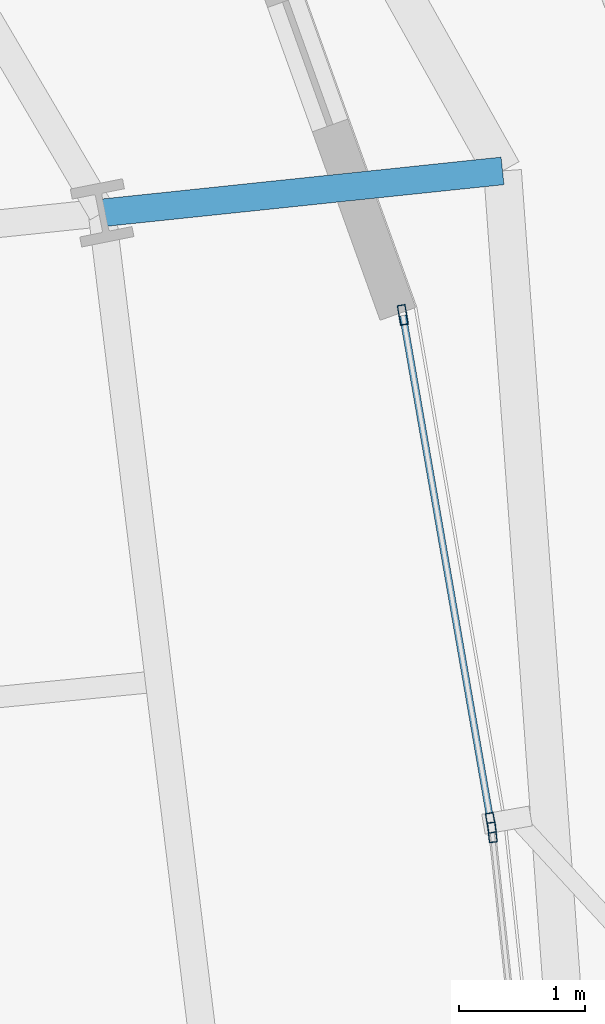
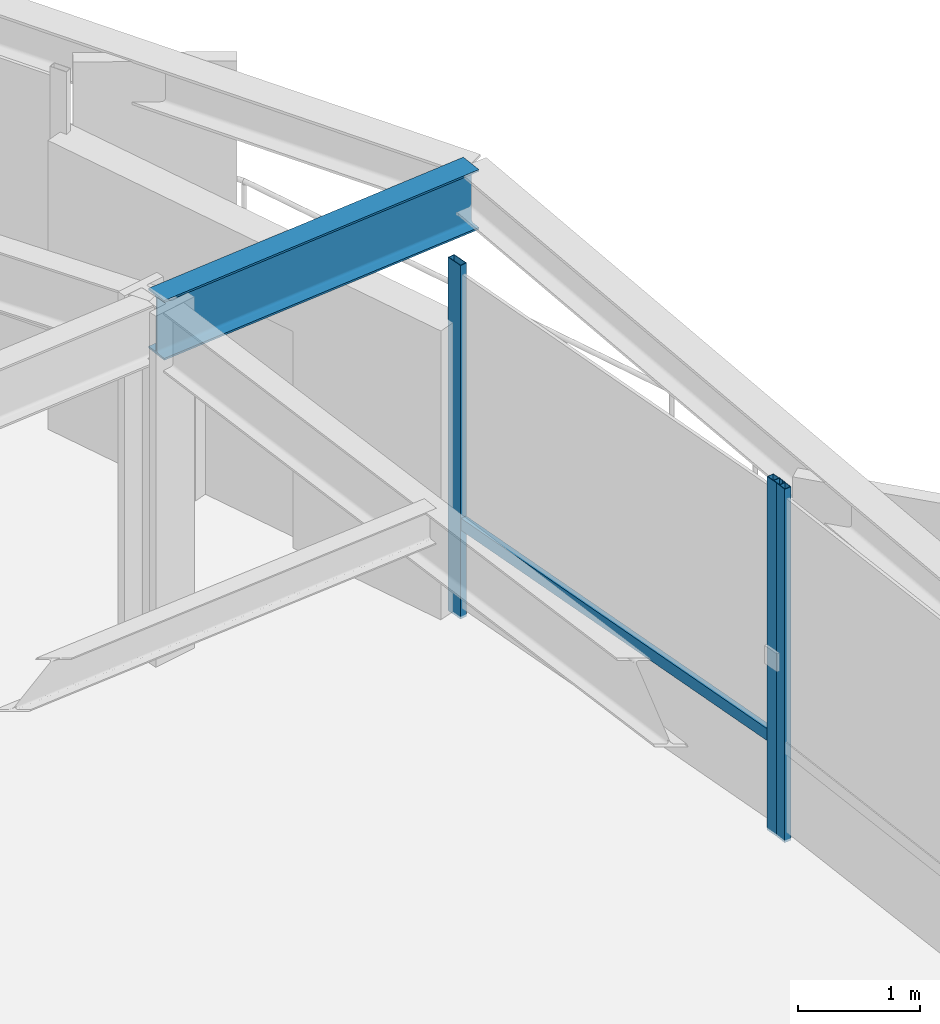
# One storey, part 18 of 39: 4 members, 1 beam, 2 elements without a shape of their own.
"""IFC4 building model written with IfcOpenShell, lengths in metres."""

from ifc_helpers import new_model, si_unit, direction, frame, origin, origin_2d, place, context, subcontext, project, spatial, hollow_rectangle, i_section, extrude, source, transform, mapped, material, layer, layer_set, material_profile, profile_set, type_object, element, aggregate, save


model = new_model("IFC4")

# Units and contexts
model_context = context("Model", 3, precision=1e-05, world=origin(), true_north=direction((0.0, 1.0)))
body_context = subcontext(model_context, "Body", "Model", "MODEL_VIEW")
ifc_project = project(units=[si_unit("LENGTHUNIT", "METRE"), si_unit("AREAUNIT", "SQUARE_METRE"), si_unit("VOLUMEUNIT", "CUBIC_METRE"), si_unit("PLANEANGLEUNIT", "RADIAN"), si_unit("MASSUNIT", "GRAM", prefix="KILO"), si_unit("THERMODYNAMICTEMPERATUREUNIT", "KELVIN")], contexts=[model_context])

# Site, building, storey
site_placement = place(None, origin())
site = spatial("IfcSite", under=ifc_project, at=site_placement, CompositionType="ELEMENT")
building_placement = place(site_placement, origin())
building = spatial("IfcBuilding", under=site, at=building_placement, Name="Kethvar Cultural Tower", CompositionType="ELEMENT")
storey_placement = place(building_placement, frame((0.0, 0.0, 33.39990234375)))
storey = spatial("IfcBuildingStorey", under=building, at=storey_placement, Name="L07", CompositionType="ELEMENT", Elevation=33.39990234375)

# Beam
ifc_material_1 = material(Name="Steel S355J2", Category="steel")
ifc_material_profile_1 = material_profile(ifc_material_1, i_section(OverallWidth=0.219970703125, OverallDepth=0.60009765625, WebThickness=0.011962890625, FlangeThickness=0.01904296875, FilletRadius=0.02392578125, at=origin_2d()), Name="Steel S355J2 — IPE600")
ifc_profile_set_1 = profile_set([ifc_material_profile_1], Name="Steel S355J2 — IPE600")
beam_type = type_object("IfcBeamType", Name="BM-IPE600", PredefinedType="BEAM", material=ifc_profile_set_1)
shared_shape_1 = source(origin(), body_context, "Body", "SweptSolid", [
    extrude(i_section(OverallWidth=0.219970703125, OverallDepth=0.60009765625, WebThickness=0.011962890625, FlangeThickness=0.01904296875, FilletRadius=0.02392578125, at=origin_2d()), origin(), (0.0, 0.0, 1.0), 3.199951171875),
])
beam_placement = place(storey_placement, frame((73.65673828125, 33.14208984375, 3.248046875), z_axis=(0.994554671638, 0.104216146169, 0.0), x_axis=(-0.104216146169, 0.994554671638, 0.0)))
element("IfcBeam", 1, at=beam_placement, inside=storey, type_object=beam_type, Name="L07 Perimeter Cantilever Beam RC-01", PredefinedType="BEAM", context=body_context, shape_type="MappedRepresentation", body=[
    mapped(shared_shape_1, transform((0.0, 0.0, 0.0), scale=1.0)),
])

# Curtain wall, members
ifc_material_2 = material(Name="Aluminium 6063-T6", Category="aluminium")
ifc_layer = layer(ifc_material_2, 0.179931640625, Name="Aluminium 6063-T6", Category="aluminium")
ifc_layer_set = layer_set([ifc_layer], Name="Aluminium 6063-T6 (180 mm)")
curtain_wall_type = type_object("IfcCurtainWallType", Name="CW-SYS-02-Z1", PredefinedType="NOTDEFINED", material=ifc_layer_set)
curtain_wall_1_placement = place(storey_placement, origin())
curtain_wall_1 = element("IfcCurtainWall", 2, at=curtain_wall_1_placement, inside=storey, type_object=curtain_wall_type, Name="L07 Curtain Wall Run 01", PredefinedType="NOTDEFINED")
ifc_material_profile_2 = material_profile(ifc_material_2, hollow_rectangle(XDim=0.06494140625, YDim=0.159912109375, WallThickness=0.0048828125, at=origin_2d()), Name="Aluminium 6063-T6 — RHS160x65x5")
ifc_profile_set_2 = profile_set([ifc_material_profile_2], Name="Aluminium 6063-T6 — RHS160x65x5")
member_type_1 = type_object("IfcMemberType", Name="CW-SYS-02-Z1-MUL", PredefinedType="MULLION", material=ifc_profile_set_2)
shared_shape_2 = source(origin(), body_context, "Body", "SweptSolid", [
    extrude(hollow_rectangle(XDim=0.06494140625, YDim=0.159912109375, WallThickness=0.0048828125, at=origin_2d()), origin(), (0.0, 0.0, 1.0), 3.550048828125),
])
member_1_placement = place(storey_placement, frame((76.7470703125, 28.29345703125, 0.0), z_axis=(0.0, 0.0, 1.0), x_axis=(-0.985288829708, -0.170897402123, 0.0)))
member_1 = element("IfcMember", 3, at=member_1_placement, type_object=member_type_1, Name="CW-L07-R01 Mullion 1", PredefinedType="MULLION", context=body_context, shape_type="MappedRepresentation", body=[
    mapped(shared_shape_2, transform((0.0, 0.0, 0.0), scale=1.0)),
])
member_2_placement = place(storey_placement, frame((76.046875, 32.330810546875, 0.0), z_axis=(0.0, 0.0, 1.0), x_axis=(-0.985288829708, -0.170897402123, 0.0)))
member_2 = element("IfcMember", 4, at=member_2_placement, type_object=member_type_1, Name="CW-L07-R01 Mullion 2", PredefinedType="MULLION", context=body_context, shape_type="MappedRepresentation", body=[
    mapped(shared_shape_2, transform((0.0, 0.0, 0.0), scale=1.0)),
])

# Curtain wall, member
curtain_wall_2_placement = place(storey_placement, origin())
curtain_wall_2 = element("IfcCurtainWall", 5, at=curtain_wall_2_placement, inside=storey, type_object=curtain_wall_type, Name="L07 Curtain Wall Run 07", PredefinedType="NOTDEFINED")
member_3_placement = place(storey_placement, frame((76.7578125, 28.2177734375, 0.0), z_axis=(0.0, 0.0, 1.0), x_axis=(-0.994365729926, -0.106003750633, 0.0)))
member_3 = element("IfcMember", 6, at=member_3_placement, type_object=member_type_1, Name="CW-L07-R07 Mullion 5", PredefinedType="MULLION", context=body_context, shape_type="MappedRepresentation", body=[
    mapped(shared_shape_2, transform((0.0, 0.0, 0.0), scale=1.0)),
])
aggregate(curtain_wall_2, [member_3])

# Member
ifc_material_profile_3 = material_profile(ifc_material_2, hollow_rectangle(XDim=0.054931640625, YDim=0.1201171875, WallThickness=0.00390625, at=origin_2d()), Name="Aluminium 6063-T6 — RHS120x55x4")
ifc_profile_set_3 = profile_set([ifc_material_profile_3], Name="Aluminium 6063-T6 — RHS120x55x4")
member_type_2 = type_object("IfcMemberType", Name="CW-SYS-02-Z1-TRN", PredefinedType="USERDEFINED", material=ifc_profile_set_3)
shared_shape_3 = source(origin(), body_context, "Body", "SweptSolid", [
    extrude(hollow_rectangle(XDim=0.054931640625, YDim=0.1201171875, WallThickness=0.00390625, at=origin_2d()), origin(), (0.0, 0.0, 1.0), 4.08837890625),
])
member_4_placement = place(storey_placement, frame((76.746337890625, 28.298095703125, 0.9501953125), z_axis=(-0.170902667679, 0.985287916388, 0.0), x_axis=(-0.985287916388, -0.170902667679, 0.0)))
member_4 = element("IfcMember", 7, at=member_4_placement, type_object=member_type_2, Name="CW-L07-R01 Transom 1", ObjectType="TRANSOM", PredefinedType="USERDEFINED", context=body_context, shape_type="MappedRepresentation", body=[
    mapped(shared_shape_3, transform((0.0, 0.0, 0.0), scale=1.0)),
])

aggregate(curtain_wall_1, [member_1, member_2, member_4])

save(model, "model.ifc")
